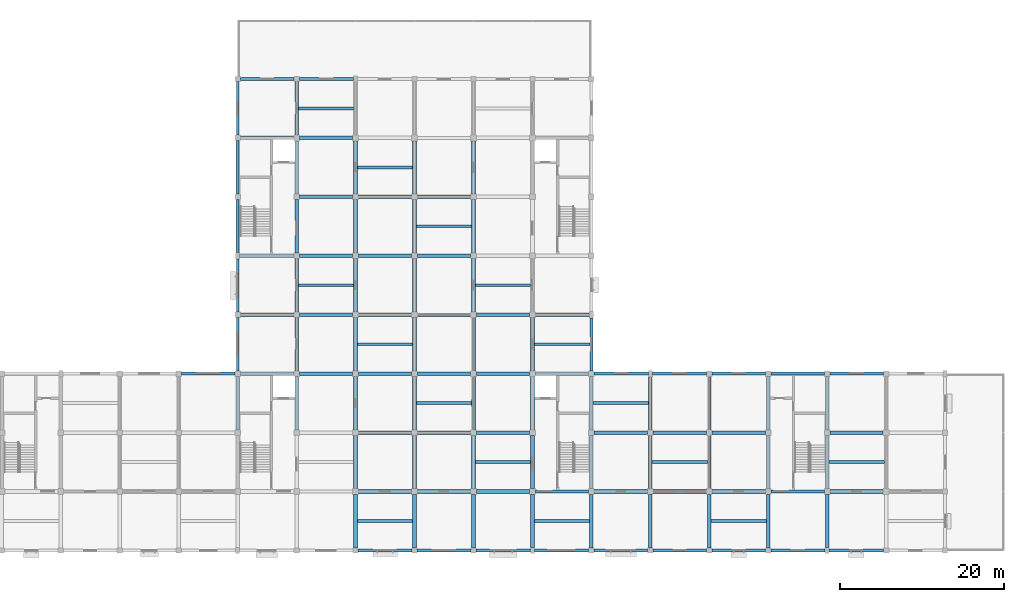
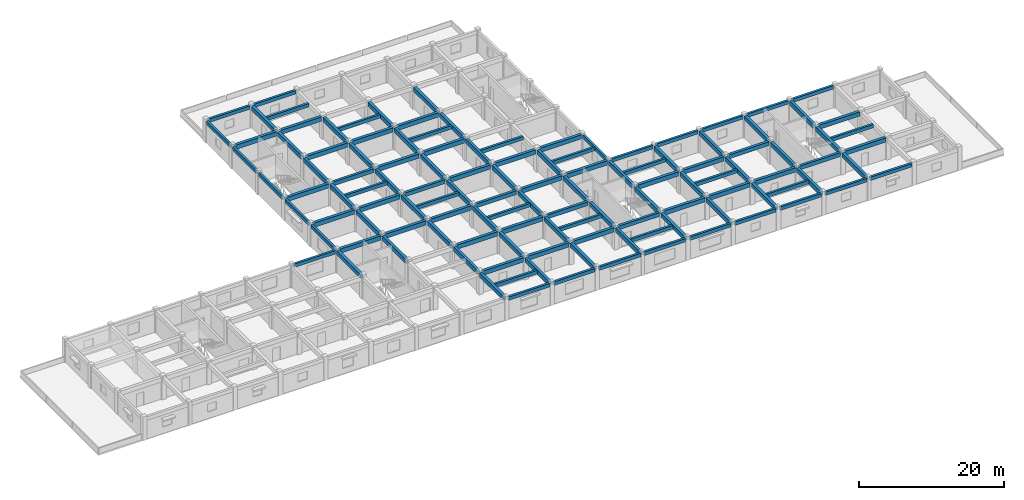
# One storey, part 2 of 16: 122 beams.
"""IFC4 building model written with IfcOpenShell, lengths in metres."""

import ifcopenshell
import ifcopenshell.guid

model = None  # the IFC model being written
_history = None  # IfcOwnerHistory: only IFC2X3 demands one
_inside = {}  # id of a spatial element -> (the spatial element, [elements in it])
_under = {}  # id of a project, library or spatial element -> (it, [spatial elements below it])
_declared = {}  # id of a project -> (the project, [libraries it declares])
_typed = {}  # id of a type object -> (the type object, [elements of that type])
_made_of = {}  # id of a material, layer set ... -> (it, [elements and type objects made of it])


def new_model(schema):
    """Start an empty IFC model of exactly this schema.

    Asked for "IFC4X3", IfcOpenShell would pick the latest addendum, in which some entities
    have other attributes; the version numbers below select the first issue.
    IFC2X3 requires an IfcOwnerHistory on every rooted entity: one is made here for all.
    """
    global model, _history
    if schema == "IFC4X3":
        model = ifcopenshell.file(schema_version=(4, 3, 0, 0))
    else:
        model = ifcopenshell.file(schema=schema)
    _inside.clear()
    _under.clear()
    _declared.clear()
    _typed.clear()
    _made_of.clear()
    _history = None
    if model.schema == "IFC2X3":
        org = make("IfcOrganization", Name="unknown")
        user = make(
            "IfcPersonAndOrganization",
            ThePerson=make("IfcPerson", FamilyName="unknown"),
            TheOrganization=org,
        )
        app = make(
            "IfcApplication",
            ApplicationDeveloper=org,
            Version="unknown",
            ApplicationFullName="unknown",
            ApplicationIdentifier="unknown",
        )
        _history = make(
            "IfcOwnerHistory",
            OwningUser=user,
            OwningApplication=app,
            ChangeAction="ADDED",
            CreationDate=0,
        )
    return model


def make(cls, **values):
    """One entity of the class cls with the attributes given. An attribute that is None is left unset."""
    return model.create_entity(
        cls, **{name: value for name, value in values.items() if value is not None}
    )


def rooted(cls, **values):
    """An entity with a GlobalId (a new one), such as an element, a storey or a relation."""
    return make(cls, GlobalId=ifcopenshell.guid.new(), OwnerHistory=_history, **values)


def si_unit(unit_type, name, prefix=None):
    """IfcSIUnit, for example si_unit("LENGTHUNIT", "METRE", prefix="MILLI")."""
    return make("IfcSIUnit", UnitType=unit_type, Prefix=prefix, Name=name)


def assignment(units):
    """IfcUnitAssignment: the units of a project."""
    return None if units is None else make("IfcUnitAssignment", Units=units)


def point(xyz):
    """IfcCartesianPoint."""
    return None if xyz is None else make("IfcCartesianPoint", Coordinates=xyz)


def direction(xyz):
    """IfcDirection."""
    return None if xyz is None else make("IfcDirection", DirectionRatios=xyz)


def frame(location, z_axis=None, x_axis=None):
    """IfcAxis2Placement3D, a coordinate frame: its origin and axes. An axis left out is left unset."""
    return make(
        "IfcAxis2Placement3D",
        Location=point(location),
        Axis=direction(z_axis),
        RefDirection=direction(x_axis),
    )


def frame_2d(location, x_axis=None):
    """IfcAxis2Placement2D, a coordinate frame in the plane: its origin and x axis."""
    return make(
        "IfcAxis2Placement2D", Location=point(location), RefDirection=direction(x_axis)
    )


def origin():
    """The frame at (0, 0, 0) with its axes left unset."""
    return frame((0.0, 0.0, 0.0))


def origin_2d():
    """The frame at (0, 0) in the plane with its x axis left unset."""
    return frame_2d((0.0, 0.0))


def place(relative_to, where):
    """IfcLocalPlacement: puts the frame where relative to a parent placement (None: the world)."""
    return make(
        "IfcLocalPlacement", PlacementRelTo=relative_to, RelativePlacement=where
    )


def context(
    kind, dimensions, precision=None, world=None, true_north=None, identifier=None
):
    """IfcGeometricRepresentationContext, for example the 3D "Model" context."""
    return make(
        "IfcGeometricRepresentationContext",
        ContextIdentifier=identifier,
        ContextType=kind,
        CoordinateSpaceDimension=dimensions,
        Precision=precision,
        WorldCoordinateSystem=world,
        TrueNorth=true_north,
    )


def subcontext(parent, identifier, kind, view, scale=None):
    """IfcGeometricRepresentationSubContext, for example "Body" below "Model"."""
    return make(
        "IfcGeometricRepresentationSubContext",
        ContextIdentifier=identifier,
        ContextType=kind,
        ParentContext=parent,
        TargetScale=scale,
        TargetView=view,
    )


def project(units=None, contexts=None):
    """IfcProject with its units and contexts."""
    return rooted(
        "IfcProject",
        Name="project",
        RepresentationContexts=contexts,
        UnitsInContext=assignment(units),
    )


def spatial(cls, under=None, at=None, **own):
    """A site, building, storey or space (cls), placed at a placement, below another one or the project."""
    s = rooted(cls, ObjectPlacement=at, **own)
    if under is not None:
        _under.setdefault(under.id(), (under, []))[1].append(s)
    return s


def profile(cls, at=None, kind="AREA", **sizes):
    """A parametric profile (cls). Its sizes go by their IFC names, for example OverallWidth=200.0."""
    return make(cls, ProfileType=kind, Position=at, **sizes)


def rectangle(**sizes):
    """IfcRectangleProfileDef."""
    return profile("IfcRectangleProfileDef", **sizes)


def extrude(swept, where, along, depth):
    """IfcExtrudedAreaSolid: the profile swept, set in the frame where, extruded along a direction by depth."""
    return make(
        "IfcExtrudedAreaSolid",
        SweptArea=swept,
        Position=where,
        ExtrudedDirection=direction(along),
        Depth=depth,
    )


def shape(context_of_items, identifier, shape_type, items):
    """IfcShapeRepresentation: the items that make up one representation, for example the "Body"."""
    return make(
        "IfcShapeRepresentation",
        ContextOfItems=context_of_items,
        RepresentationIdentifier=identifier,
        RepresentationType=shape_type,
        Items=items,
    )


def material(Name=None, Category=None):
    """IfcMaterial."""
    return make("IfcMaterial", Name=Name, Category=Category)


def material_profile(
    of_material, cross_section, Name=None, Category=None, Priority=None
):
    """IfcMaterialProfile: a cross section and its material."""
    return make(
        "IfcMaterialProfile",
        Name=Name,
        Material=of_material,
        Profile=cross_section,
        Priority=Priority,
        Category=Category,
    )


def profile_set(profiles, Name=None, composite=None):
    """IfcMaterialProfileSet."""
    return make(
        "IfcMaterialProfileSet",
        Name=Name,
        MaterialProfiles=profiles,
        CompositeProfile=composite,
    )


def made_of(thing, what):
    """Note that an element or type object is made of a material, layer set ...; save() writes the relation."""
    if what is not None:
        _made_of.setdefault(what.id(), (what, []))[1].append(thing)
    return thing


def type_object(cls, material=None, **own):
    """A type object (cls), such as IfcWallType, which elements share."""
    return made_of(rooted(cls, **own), material)


def element(
    cls,
    number,
    at=None,
    inside=None,
    cuts=None,
    type_object=None,
    material=None,
    context=None,
    identifier="Body",
    shape_type=None,
    held_by="IfcProductDefinitionShape",
    body=None,
    shapes=None,
    **own,
):
    """One element of the class cls, such as IfcWall. Its Tag is "e" and its number.

    at: its placement. inside: the storey or other place that contains it. cuts: it is an
    opening in that element (IfcRelVoidsElement). A single representation is given by context,
    identifier, shape_type and body (its items); several are given by shapes. held_by: the class
    of the entity that holds the representations. save() writes the other relations.
    """
    e = rooted(cls, Tag="e%d" % number, ObjectPlacement=at, **own)
    if body is not None:
        shapes = [shape(context, identifier, shape_type, body)]
    if shapes is not None:
        e.Representation = make(held_by, Representations=shapes)
    if inside is not None:
        _inside.setdefault(inside.id(), (inside, []))[1].append(e)
    if cuts is not None:
        rooted(
            "IfcRelVoidsElement", RelatingBuildingElement=cuts, RelatedOpeningElement=e
        )
    if type_object is not None:
        _typed.setdefault(type_object.id(), (type_object, []))[1].append(e)
    return made_of(e, material)


def aggregate(whole, parts):
    """IfcRelAggregates: a whole, such as a stair, and the parts it consists of."""
    return rooted("IfcRelAggregates", RelatingObject=whole, RelatedObjects=parts)


def save(model, path):
    """Write the relations noted so far, then the file.

    IfcRelAggregates (storeys below a building ...), IfcRelContainedInSpatialStructure (elements
    in a storey), IfcRelDefinesByType, IfcRelAssociatesMaterial and IfcRelDeclares: one each for
    every whole, place, type object, material and project.
    """
    for whole, parts in _under.values():
        aggregate(whole, parts)
    for where, things in _inside.values():
        rooted(
            "IfcRelContainedInSpatialStructure",
            RelatedElements=things,
            RelatingStructure=where,
        )
    for kind, things in _typed.values():
        rooted("IfcRelDefinesByType", RelatedObjects=things, RelatingType=kind)
    for what, things in _made_of.values():
        rooted("IfcRelAssociatesMaterial", RelatedObjects=things, RelatingMaterial=what)
    for by, libraries in _declared.values():
        rooted("IfcRelDeclares", RelatingContext=by, RelatedDefinitions=libraries)
    model.write(path)


model = new_model("IFC4")

# Units and contexts
model_context = context("Model", 3, precision=1e-05, world=origin(), true_north=direction((0.0, 1.0)))
body_context = subcontext(model_context, "Body", "Model", "MODEL_VIEW")
ifc_project = project(units=[si_unit("LENGTHUNIT", "METRE"), si_unit("AREAUNIT", "SQUARE_METRE"), si_unit("VOLUMEUNIT", "CUBIC_METRE"), si_unit("PLANEANGLEUNIT", "RADIAN"), si_unit("MASSUNIT", "GRAM", prefix="KILO")], contexts=[model_context])

# Site, building, storey
site_placement = place(None, origin())
site = spatial("IfcSite", under=ifc_project, at=site_placement, CompositionType="ELEMENT")
building_placement = place(site_placement, origin())
building = spatial("IfcBuilding", under=site, at=building_placement, Name="Cendaluz Park School", CompositionType="ELEMENT")
storey_placement = place(building_placement, frame((0.0, 0.0, 22.60009765625)))
storey = spatial("IfcBuildingStorey", under=building, at=storey_placement, Name="L05", CompositionType="ELEMENT", Elevation=22.60009765625)

# Beams
ifc_material = material(Name="Concrete C40/50", Category="concrete")
ifc_material_profile_1 = material_profile(ifc_material, rectangle(XDim=0.449951171875, YDim=0.719970703125, at=origin_2d()), Name="RC 450x720", Category="concrete")
ifc_profile_set_1 = profile_set([ifc_material_profile_1], Name="Concrete C40/50")
beam_type_1 = type_object("IfcBeamType", Name="BM-RC02", PredefinedType="BEAM", material=ifc_profile_set_1)
for number, where, z_axis, x_axis, name in (
    (1, (65.125, 28.800048828125, 3.33984375), (1.0, 0.0, 0.0), (0.0, 1.0, 0.0), "BM-L05-BMRC02-0026"),
    (2, (65.125, 36.0, 3.33984375), (1.0, 0.0, 0.0), (0.0, 1.0, 0.0), "BM-L05-BMRC02-0027"),
):
    element("IfcBeam", number, at=place(storey_placement, frame(where, z_axis=z_axis, x_axis=x_axis)), inside=storey, type_object=beam_type_1, Name=name, PredefinedType="BEAM", context=body_context, shape_type="SweptSolid", body=[
        extrude(rectangle(XDim=0.449951171875, YDim=0.719970703125, at=origin_2d()), origin(), (0.0, 0.0, 1.0), 6.52490234375),
    ])
beam_1_placement = place(storey_placement, frame((65.050048828125, 43.199951171875, 3.33984375), z_axis=(1.0, 0.0, 0.0), x_axis=(0.0, 1.0, 0.0)))
element("IfcBeam", 3, at=beam_1_placement, inside=storey, type_object=beam_type_1, Name="BM-L05-BMRC02-0028", PredefinedType="BEAM", context=body_context, shape_type="SweptSolid", body=[
    extrude(rectangle(XDim=0.449951171875, YDim=0.719970703125, at=origin_2d()), origin(), (0.0, 0.0, 1.0), 6.599853515625),
])
beam_2_placement = place(storey_placement, frame((65.125, 57.60009765625, 3.33984375), z_axis=(1.0, 0.0, 0.0), x_axis=(0.0, 1.0, 0.0)))
element("IfcBeam", 4, at=beam_2_placement, inside=storey, type_object=beam_type_1, Name="BM-L05-BMRC02-0029", PredefinedType="BEAM", context=body_context, shape_type="SweptSolid", body=[
    extrude(rectangle(XDim=0.449951171875, YDim=0.719970703125, at=origin_2d()), origin(), (0.0, 0.0, 1.0), 6.52490234375),
])
for number, where, z_axis, x_axis, name in (
    (5, (72.35009765625, 28.800048828125, 3.33984375), (1.0, 0.0, 0.0), (0.0, 1.0, 0.0), "BM-L05-BMRC02-0034"),
    (6, (72.35009765625, 36.0, 3.33984375), (1.0, 0.0, 0.0), (0.0, 1.0, 0.0), "BM-L05-BMRC02-0035"),
    (7, (72.35009765625, 50.39990234375, 3.33984375), (1.0, 0.0, 0.0), (0.0, 1.0, 0.0), "BM-L05-BMRC02-0037"),
    (8, (72.35009765625, 57.60009765625, 3.33984375), (1.0, 0.0, 0.0), (0.0, 1.0, 0.0), "BM-L05-BMRC02-0038"),
    (9, (79.550048828125, 14.39990234375, 3.33984375), (1.0, 0.0, 0.0), (0.0, 1.0, 0.0), "BM-L05-BMRC02-0041"),
    (10, (79.550048828125, 21.60009765625, 3.33984375), (1.0, 0.0, 0.0), (0.0, 1.0, 0.0), "BM-L05-BMRC02-0042"),
    (11, (79.550048828125, 28.800048828125, 3.33984375), (1.0, 0.0, 0.0), (0.0, 1.0, 0.0), "BM-L05-BMRC02-0043"),
    (12, (79.550048828125, 43.199951171875, 3.33984375), (1.0, 0.0, 0.0), (0.0, 1.0, 0.0), "BM-L05-BMRC02-0045"),
    (13, (79.550048828125, 50.39990234375, 3.33984375), (1.0, 0.0, 0.0), (0.0, 1.0, 0.0), "BM-L05-BMRC02-0046"),
    (14, (86.75, 14.39990234375, 3.33984375), (1.0, 0.0, 0.0), (0.0, 1.0, 0.0), "BM-L05-BMRC02-0050"),
    (15, (86.75, 21.60009765625, 3.33984375), (1.0, 0.0, 0.0), (0.0, 1.0, 0.0), "BM-L05-BMRC02-0051"),
    (16, (86.75, 36.0, 3.33984375), (1.0, 0.0, 0.0), (0.0, 1.0, 0.0), "BM-L05-BMRC02-0053"),
    (17, (86.75, 43.199951171875, 3.33984375), (1.0, 0.0, 0.0), (0.0, 1.0, 0.0), "BM-L05-BMRC02-0054"),
    (18, (86.75, 50.39990234375, 3.33984375), (1.0, 0.0, 0.0), (0.0, 1.0, 0.0), "BM-L05-BMRC02-0055"),
    (19, (93.949951171875, 14.39990234375, 3.33984375), (1.0, 0.0, 0.0), (0.0, 1.0, 0.0), "BM-L05-BMRC02-0059"),
    (20, (93.949951171875, 28.800048828125, 3.33984375), (1.0, 0.0, 0.0), (0.0, 1.0, 0.0), "BM-L05-BMRC02-0061"),
    (21, (93.949951171875, 36.0, 3.33984375), (1.0, 0.0, 0.0), (0.0, 1.0, 0.0), "BM-L05-BMRC02-0062"),
):
    element("IfcBeam", number, at=place(storey_placement, frame(where, z_axis=z_axis, x_axis=x_axis)), inside=storey, type_object=beam_type_1, Name=name, PredefinedType="BEAM", context=body_context, shape_type="SweptSolid", body=[
        extrude(rectangle(XDim=0.449951171875, YDim=0.719970703125, at=origin_2d()), origin(), (0.0, 0.0, 1.0), 6.5),
    ])
beam_3_placement = place(storey_placement, frame((101.14990234375, 28.800048828125, 3.33984375), z_axis=(1.0, 0.0, 0.0), x_axis=(0.0, 1.0, 0.0)))
element("IfcBeam", 22, at=beam_3_placement, inside=storey, type_object=beam_type_1, Name="BM-L05-BMRC02-0069", PredefinedType="BEAM", context=body_context, shape_type="SweptSolid", body=[
    extrude(rectangle(XDim=0.449951171875, YDim=0.719970703125, at=origin_2d()), origin(), (0.0, 0.0, 1.0), 6.525146484375),
])
beam_4_placement = place(storey_placement, frame((101.14990234375, 36.0, 3.33984375), z_axis=(1.0, 0.0, 0.0), x_axis=(0.0, 1.0, 0.0)))
element("IfcBeam", 23, at=beam_4_placement, inside=storey, type_object=beam_type_1, Name="BM-L05-BMRC02-0070", PredefinedType="BEAM", context=body_context, shape_type="SweptSolid", body=[
    extrude(rectangle(XDim=0.449951171875, YDim=0.719970703125, at=origin_2d()), origin(), (0.0, 0.0, 1.0), 6.60009765625),
])
for number, where, z_axis, x_axis, name in (
    (24, (108.35009765625, 14.39990234375, 3.33984375), (1.0, 0.0, 0.0), (0.0, 1.0, 0.0), "BM-L05-BMRC02-0075"),
    (25, (108.35009765625, 21.60009765625, 3.33984375), (1.0, 0.0, 0.0), (0.0, 1.0, 0.0), "BM-L05-BMRC02-0076"),
    (26, (115.550048828125, 14.39990234375, 3.33984375), (1.0, 0.0, 0.0), (0.0, 1.0, 0.0), "BM-L05-BMRC02-0079"),
    (27, (115.550048828125, 21.60009765625, 3.33984375), (1.0, 0.0, 0.0), (0.0, 1.0, 0.0), "BM-L05-BMRC02-0080"),
    (28, (122.75, 14.39990234375, 3.33984375), (1.0, 0.0, 0.0), (0.0, 1.0, 0.0), "BM-L05-BMRC02-0083"),
    (29, (137.14990234375, 14.39990234375, 3.33984375), (1.0, 0.0, 0.0), (0.0, 1.0, 0.0), "BM-L05-BMRC02-0090"),
    (30, (137.14990234375, 21.60009765625, 3.33984375), (1.0, 0.0, 0.0), (0.0, 1.0, 0.0), "BM-L05-BMRC02-0091"),
):
    element("IfcBeam", number, at=place(storey_placement, frame(where, z_axis=z_axis, x_axis=x_axis)), inside=storey, type_object=beam_type_1, Name=name, PredefinedType="BEAM", context=body_context, shape_type="SweptSolid", body=[
        extrude(rectangle(XDim=0.449951171875, YDim=0.719970703125, at=origin_2d()), origin(), (0.0, 0.0, 1.0), 6.5),
    ])
beam_5_placement = place(storey_placement, frame((64.800048828125, 21.949951171875, 3.33984375), z_axis=(0.0, 1.0, 0.0), x_axis=(-1.0, 0.0, 0.0)))
element("IfcBeam", 31, at=beam_5_placement, inside=storey, type_object=beam_type_1, Name="BM-L05-BMRC02-0117", PredefinedType="BEAM", context=body_context, shape_type="SweptSolid", body=[
    extrude(rectangle(XDim=0.449951171875, YDim=0.719970703125, at=origin_2d()), origin(), (0.0, 0.0, 1.0), 6.525146484375),
])
for number, where, z_axis, x_axis, name in (
    (32, (72.0, 21.949951171875, 3.33984375), (0.0, 1.0, 0.0), (-1.0, 0.0, 0.0), "BM-L05-BMRC02-0125"),
    (33, (72.0, 29.14990234375, 3.33984375), (0.0, 1.0, 0.0), (-1.0, 0.0, 0.0), "BM-L05-BMRC02-0126"),
    (34, (72.0, 36.35009765625, 3.33984375), (0.0, 1.0, 0.0), (-1.0, 0.0, 0.0), "BM-L05-BMRC02-0127"),
    (35, (72.0, 43.550048828125, 3.33984375), (0.0, 1.0, 0.0), (-1.0, 0.0, 0.0), "BM-L05-BMRC02-0128"),
    (36, (72.0, 50.75, 3.33984375), (0.0, 1.0, 0.0), (-1.0, 0.0, 0.0), "BM-L05-BMRC02-0129"),
):
    element("IfcBeam", number, at=place(storey_placement, frame(where, z_axis=z_axis, x_axis=x_axis)), inside=storey, type_object=beam_type_1, Name=name, PredefinedType="BEAM", context=body_context, shape_type="SweptSolid", body=[
        extrude(rectangle(XDim=0.449951171875, YDim=0.719970703125, at=origin_2d()), origin(), (0.0, 0.0, 1.0), 6.5),
    ])
for number, where, z_axis, x_axis, name in (
    (37, (72.0, 57.949951171875, 3.33984375), (0.0, 1.0, 0.0), (-1.0, 0.0, 0.0), "BM-L05-BMRC02-0130"),
    (38, (79.199951171875, 7.52490234375, 3.33984375), (0.0, 1.0, 0.0), (-1.0, 0.0, 0.0), "BM-L05-BMRC02-0131"),
):
    element("IfcBeam", number, at=place(storey_placement, frame(where, z_axis=z_axis, x_axis=x_axis)), inside=storey, type_object=beam_type_1, Name=name, PredefinedType="BEAM", context=body_context, shape_type="SweptSolid", body=[
        extrude(rectangle(XDim=0.449951171875, YDim=0.719970703125, at=origin_2d()), origin(), (0.0, 0.0, 1.0), 6.525146484375),
    ])
for number, where, z_axis, x_axis, name in (
    (39, (79.199951171875, 14.75, 3.33984375), (0.0, 1.0, 0.0), (-1.0, 0.0, 0.0), "BM-L05-BMRC02-0132"),
    (40, (79.199951171875, 21.949951171875, 3.33984375), (0.0, 1.0, 0.0), (-1.0, 0.0, 0.0), "BM-L05-BMRC02-0133"),
    (41, (79.199951171875, 29.14990234375, 3.33984375), (0.0, 1.0, 0.0), (-1.0, 0.0, 0.0), "BM-L05-BMRC02-0134"),
    (42, (79.199951171875, 36.35009765625, 3.33984375), (0.0, 1.0, 0.0), (-1.0, 0.0, 0.0), "BM-L05-BMRC02-0135"),
    (43, (79.199951171875, 43.550048828125, 3.33984375), (0.0, 1.0, 0.0), (-1.0, 0.0, 0.0), "BM-L05-BMRC02-0136"),
    (44, (79.199951171875, 50.75, 3.33984375), (0.0, 1.0, 0.0), (-1.0, 0.0, 0.0), "BM-L05-BMRC02-0137"),
):
    element("IfcBeam", number, at=place(storey_placement, frame(where, z_axis=z_axis, x_axis=x_axis)), inside=storey, type_object=beam_type_1, Name=name, PredefinedType="BEAM", context=body_context, shape_type="SweptSolid", body=[
        extrude(rectangle(XDim=0.449951171875, YDim=0.719970703125, at=origin_2d()), origin(), (0.0, 0.0, 1.0), 6.5),
    ])
beam_6_placement = place(storey_placement, frame((86.39990234375, 7.52490234375, 3.33984375), z_axis=(0.0, 1.0, 0.0), x_axis=(-1.0, 0.0, 0.0)))
element("IfcBeam", 45, at=beam_6_placement, inside=storey, type_object=beam_type_1, Name="BM-L05-BMRC02-0139", PredefinedType="BEAM", context=body_context, shape_type="SweptSolid", body=[
    extrude(rectangle(XDim=0.449951171875, YDim=0.719970703125, at=origin_2d()), origin(), (0.0, 0.0, 1.0), 6.525146484375),
])
for number, where, z_axis, x_axis, name in (
    (46, (86.39990234375, 14.75, 3.33984375), (0.0, 1.0, 0.0), (-1.0, 0.0, 0.0), "BM-L05-BMRC02-0140"),
    (47, (86.39990234375, 21.949951171875, 3.33984375), (0.0, 1.0, 0.0), (-1.0, 0.0, 0.0), "BM-L05-BMRC02-0141"),
    (48, (86.39990234375, 29.14990234375, 3.33984375), (0.0, 1.0, 0.0), (-1.0, 0.0, 0.0), "BM-L05-BMRC02-0142"),
    (49, (86.39990234375, 36.35009765625, 3.33984375), (0.0, 1.0, 0.0), (-1.0, 0.0, 0.0), "BM-L05-BMRC02-0143"),
    (50, (86.39990234375, 43.550048828125, 3.33984375), (0.0, 1.0, 0.0), (-1.0, 0.0, 0.0), "BM-L05-BMRC02-0144"),
    (51, (86.39990234375, 50.75, 3.33984375), (0.0, 1.0, 0.0), (-1.0, 0.0, 0.0), "BM-L05-BMRC02-0145"),
):
    element("IfcBeam", number, at=place(storey_placement, frame(where, z_axis=z_axis, x_axis=x_axis)), inside=storey, type_object=beam_type_1, Name=name, PredefinedType="BEAM", context=body_context, shape_type="SweptSolid", body=[
        extrude(rectangle(XDim=0.449951171875, YDim=0.719970703125, at=origin_2d()), origin(), (0.0, 0.0, 1.0), 6.5),
    ])
beam_7_placement = place(storey_placement, frame((93.60009765625, 7.52490234375, 3.33984375), z_axis=(0.0, 1.0, 0.0), x_axis=(-1.0, 0.0, 0.0)))
element("IfcBeam", 52, at=beam_7_placement, inside=storey, type_object=beam_type_1, Name="BM-L05-BMRC02-0147", PredefinedType="BEAM", context=body_context, shape_type="SweptSolid", body=[
    extrude(rectangle(XDim=0.449951171875, YDim=0.719970703125, at=origin_2d()), origin(), (0.0, 0.0, 1.0), 6.525146484375),
])
for number, where, z_axis, x_axis, name in (
    (53, (93.60009765625, 14.75, 3.33984375), (0.0, 1.0, 0.0), (-1.0, 0.0, 0.0), "BM-L05-BMRC02-0148"),
    (54, (93.60009765625, 21.949951171875, 3.33984375), (0.0, 1.0, 0.0), (-1.0, 0.0, 0.0), "BM-L05-BMRC02-0149"),
    (55, (93.60009765625, 29.14990234375, 3.33984375), (0.0, 1.0, 0.0), (-1.0, 0.0, 0.0), "BM-L05-BMRC02-0150"),
    (56, (93.60009765625, 36.35009765625, 3.33984375), (0.0, 1.0, 0.0), (-1.0, 0.0, 0.0), "BM-L05-BMRC02-0151"),
    (57, (93.60009765625, 43.550048828125, 3.33984375), (0.0, 1.0, 0.0), (-1.0, 0.0, 0.0), "BM-L05-BMRC02-0152"),
    (58, (93.60009765625, 50.75, 3.33984375), (0.0, 1.0, 0.0), (-1.0, 0.0, 0.0), "BM-L05-BMRC02-0153"),
):
    element("IfcBeam", number, at=place(storey_placement, frame(where, z_axis=z_axis, x_axis=x_axis)), inside=storey, type_object=beam_type_1, Name=name, PredefinedType="BEAM", context=body_context, shape_type="SweptSolid", body=[
        extrude(rectangle(XDim=0.449951171875, YDim=0.719970703125, at=origin_2d()), origin(), (0.0, 0.0, 1.0), 6.5),
    ])
beam_8_placement = place(storey_placement, frame((100.800048828125, 7.574951171875, 3.33984375), z_axis=(0.0, 1.0, 0.0), x_axis=(-1.0, 0.0, 0.0)))
element("IfcBeam", 59, at=beam_8_placement, inside=storey, type_object=beam_type_1, Name="BM-L05-BMRC02-0155", PredefinedType="BEAM", context=body_context, shape_type="SweptSolid", body=[
    extrude(rectangle(XDim=0.449951171875, YDim=0.719970703125, at=origin_2d()), origin(), (0.0, 0.0, 1.0), 6.47509765625),
])
for number, where, z_axis, x_axis, name in (
    (60, (100.800048828125, 14.75, 3.33984375), (0.0, 1.0, 0.0), (-1.0, 0.0, 0.0), "BM-L05-BMRC02-0156"),
    (61, (100.800048828125, 21.949951171875, 3.33984375), (0.0, 1.0, 0.0), (-1.0, 0.0, 0.0), "BM-L05-BMRC02-0157"),
    (62, (100.800048828125, 29.14990234375, 3.33984375), (0.0, 1.0, 0.0), (-1.0, 0.0, 0.0), "BM-L05-BMRC02-0158"),
):
    element("IfcBeam", number, at=place(storey_placement, frame(where, z_axis=z_axis, x_axis=x_axis)), inside=storey, type_object=beam_type_1, Name=name, PredefinedType="BEAM", context=body_context, shape_type="SweptSolid", body=[
        extrude(rectangle(XDim=0.449951171875, YDim=0.719970703125, at=origin_2d()), origin(), (0.0, 0.0, 1.0), 6.5),
    ])
beam_9_placement = place(storey_placement, frame((108.0, 7.52490234375, 3.33984375), z_axis=(0.0, 1.0, 0.0), x_axis=(-1.0, 0.0, 0.0)))
element("IfcBeam", 63, at=beam_9_placement, inside=storey, type_object=beam_type_1, Name="BM-L05-BMRC02-0163", PredefinedType="BEAM", context=body_context, shape_type="SweptSolid", body=[
    extrude(rectangle(XDim=0.449951171875, YDim=0.719970703125, at=origin_2d()), origin(), (0.0, 0.0, 1.0), 6.525146484375),
])
beam_10_placement = place(storey_placement, frame((108.0, 14.75, 3.33984375), z_axis=(0.0, 1.0, 0.0), x_axis=(-1.0, 0.0, 0.0)))
element("IfcBeam", 64, at=beam_10_placement, inside=storey, type_object=beam_type_1, Name="BM-L05-BMRC02-0164", PredefinedType="BEAM", context=body_context, shape_type="SweptSolid", body=[
    extrude(rectangle(XDim=0.449951171875, YDim=0.719970703125, at=origin_2d()), origin(), (0.0, 0.0, 1.0), 6.5),
])
for number, where, z_axis, x_axis, name in (
    (65, (108.0, 21.949951171875, 3.33984375), (0.0, 1.0, 0.0), (-1.0, 0.0, 0.0), "BM-L05-BMRC02-0165"),
    (66, (115.199951171875, 7.52490234375, 3.33984375), (0.0, 1.0, 0.0), (-1.0, 0.0, 0.0), "BM-L05-BMRC02-0171"),
):
    element("IfcBeam", number, at=place(storey_placement, frame(where, z_axis=z_axis, x_axis=x_axis)), inside=storey, type_object=beam_type_1, Name=name, PredefinedType="BEAM", context=body_context, shape_type="SweptSolid", body=[
        extrude(rectangle(XDim=0.449951171875, YDim=0.719970703125, at=origin_2d()), origin(), (0.0, 0.0, 1.0), 6.525146484375),
    ])
beam_11_placement = place(storey_placement, frame((115.199951171875, 14.75, 3.33984375), z_axis=(0.0, 1.0, 0.0), x_axis=(-1.0, 0.0, 0.0)))
element("IfcBeam", 67, at=beam_11_placement, inside=storey, type_object=beam_type_1, Name="BM-L05-BMRC02-0172", PredefinedType="BEAM", context=body_context, shape_type="SweptSolid", body=[
    extrude(rectangle(XDim=0.449951171875, YDim=0.719970703125, at=origin_2d()), origin(), (0.0, 0.0, 1.0), 6.5),
])
beam_12_placement = place(storey_placement, frame((115.199951171875, 21.949951171875, 3.33984375), z_axis=(0.0, 1.0, 0.0), x_axis=(-1.0, 0.0, 0.0)))
element("IfcBeam", 68, at=beam_12_placement, inside=storey, type_object=beam_type_1, Name="BM-L05-BMRC02-0173", PredefinedType="BEAM", context=body_context, shape_type="SweptSolid", body=[
    extrude(rectangle(XDim=0.449951171875, YDim=0.719970703125, at=origin_2d()), origin(), (0.0, 0.0, 1.0), 6.47509765625),
])
beam_13_placement = place(storey_placement, frame((122.39990234375, 7.52490234375, 3.33984375), z_axis=(0.0, 1.0, 0.0), x_axis=(-1.0, 0.0, 0.0)))
element("IfcBeam", 69, at=beam_13_placement, inside=storey, type_object=beam_type_1, Name="BM-L05-BMRC02-0174", PredefinedType="BEAM", context=body_context, shape_type="SweptSolid", body=[
    extrude(rectangle(XDim=0.449951171875, YDim=0.719970703125, at=origin_2d()), origin(), (0.0, 0.0, 1.0), 6.525146484375),
])
beam_14_placement = place(storey_placement, frame((122.39990234375, 14.75, 3.33984375), z_axis=(0.0, 1.0, 0.0), x_axis=(-1.0, 0.0, 0.0)))
element("IfcBeam", 70, at=beam_14_placement, inside=storey, type_object=beam_type_1, Name="BM-L05-BMRC02-0175", PredefinedType="BEAM", context=body_context, shape_type="SweptSolid", body=[
    extrude(rectangle(XDim=0.449951171875, YDim=0.719970703125, at=origin_2d()), origin(), (0.0, 0.0, 1.0), 6.5),
])
for number, where, z_axis, x_axis, name in (
    (71, (122.39990234375, 21.949951171875, 3.33984375), (0.0, 1.0, 0.0), (-1.0, 0.0, 0.0), "BM-L05-BMRC02-0176"),
    (72, (129.60009765625, 7.52490234375, 3.33984375), (0.0, 1.0, 0.0), (-1.0, 0.0, 0.0), "BM-L05-BMRC02-0177"),
):
    element("IfcBeam", number, at=place(storey_placement, frame(where, z_axis=z_axis, x_axis=x_axis)), inside=storey, type_object=beam_type_1, Name=name, PredefinedType="BEAM", context=body_context, shape_type="SweptSolid", body=[
        extrude(rectangle(XDim=0.449951171875, YDim=0.719970703125, at=origin_2d()), origin(), (0.0, 0.0, 1.0), 6.525146484375),
    ])
beam_15_placement = place(storey_placement, frame((129.60009765625, 14.75, 3.33984375), z_axis=(0.0, 1.0, 0.0), x_axis=(-1.0, 0.0, 0.0)))
element("IfcBeam", 73, at=beam_15_placement, inside=storey, type_object=beam_type_1, Name="BM-L05-BMRC02-0178", PredefinedType="BEAM", context=body_context, shape_type="SweptSolid", body=[
    extrude(rectangle(XDim=0.449951171875, YDim=0.719970703125, at=origin_2d()), origin(), (0.0, 0.0, 1.0), 6.5),
])
beam_16_placement = place(storey_placement, frame((129.60009765625, 21.949951171875, 3.33984375), z_axis=(0.0, 1.0, 0.0), x_axis=(-1.0, 0.0, 0.0)))
element("IfcBeam", 74, at=beam_16_placement, inside=storey, type_object=beam_type_1, Name="BM-L05-BMRC02-0179", PredefinedType="BEAM", context=body_context, shape_type="SweptSolid", body=[
    extrude(rectangle(XDim=0.449951171875, YDim=0.719970703125, at=origin_2d()), origin(), (0.0, 0.0, 1.0), 6.525146484375),
])
beam_17_placement = place(storey_placement, frame((136.800048828125, 7.574951171875, 3.33984375), z_axis=(0.0, 1.0, 0.0), x_axis=(-1.0, 0.0, 0.0)))
element("IfcBeam", 75, at=beam_17_placement, inside=storey, type_object=beam_type_1, Name="BM-L05-BMRC02-0180", PredefinedType="BEAM", context=body_context, shape_type="SweptSolid", body=[
    extrude(rectangle(XDim=0.449951171875, YDim=0.719970703125, at=origin_2d()), origin(), (0.0, 0.0, 1.0), 6.47509765625),
])
beam_18_placement = place(storey_placement, frame((136.800048828125, 14.75, 3.33984375), z_axis=(0.0, 1.0, 0.0), x_axis=(-1.0, 0.0, 0.0)))
element("IfcBeam", 76, at=beam_18_placement, inside=storey, type_object=beam_type_1, Name="BM-L05-BMRC02-0181", PredefinedType="BEAM", context=body_context, shape_type="SweptSolid", body=[
    extrude(rectangle(XDim=0.449951171875, YDim=0.719970703125, at=origin_2d()), origin(), (0.0, 0.0, 1.0), 6.5),
])
beam_19_placement = place(storey_placement, frame((136.800048828125, 21.949951171875, 3.33984375), z_axis=(0.0, 1.0, 0.0), x_axis=(-1.0, 0.0, 0.0)))
element("IfcBeam", 77, at=beam_19_placement, inside=storey, type_object=beam_type_1, Name="BM-L05-BMRC02-0182", PredefinedType="BEAM", context=body_context, shape_type="SweptSolid", body=[
    extrude(rectangle(XDim=0.449951171875, YDim=0.719970703125, at=origin_2d()), origin(), (0.0, 0.0, 1.0), 6.525146484375),
])
ifc_material_profile_2 = material_profile(ifc_material, rectangle(XDim=0.39990234375, YDim=0.64990234375, at=origin_2d()), Name="RC 400x650", Category="concrete")
ifc_profile_set_2 = profile_set([ifc_material_profile_2], Name="Concrete C40/50")
beam_type_2 = type_object("IfcBeamType", Name="BM-RC03", PredefinedType="T_BEAM", material=ifc_profile_set_2)
for number, where, z_axis, x_axis, name in (
    (78, (72.35009765625, 43.199951171875, 3.375), (1.0, 0.0, 0.0), (0.0, 1.0, 0.0), "BM-L05-BMRC03-0036"),
    (79, (79.550048828125, 36.0, 3.375), (1.0, 0.0, 0.0), (0.0, 1.0, 0.0), "BM-L05-BMRC03-0044"),
    (80, (86.75, 28.800048828125, 3.375), (1.0, 0.0, 0.0), (0.0, 1.0, 0.0), "BM-L05-BMRC03-0052"),
    (81, (93.949951171875, 21.60009765625, 3.375), (1.0, 0.0, 0.0), (0.0, 1.0, 0.0), "BM-L05-BMRC03-0060"),
    (82, (101.14990234375, 14.39990234375, 3.375), (1.0, 0.0, 0.0), (0.0, 1.0, 0.0), "BM-L05-BMRC03-0068"),
    (83, (122.75, 21.60009765625, 3.375), (1.0, 0.0, 0.0), (0.0, 1.0, 0.0), "BM-L05-BMRC03-0084"),
    (84, (129.949951171875, 14.39990234375, 3.375), (1.0, 0.0, 0.0), (0.0, 1.0, 0.0), "BM-L05-BMRC03-0087"),
):
    element("IfcBeam", number, at=place(storey_placement, frame(where, z_axis=z_axis, x_axis=x_axis)), inside=storey, type_object=beam_type_2, Name=name, PredefinedType="T_BEAM", context=body_context, shape_type="SweptSolid", body=[
        extrude(rectangle(XDim=0.39990234375, YDim=0.64990234375, at=origin_2d()), origin(), (0.0, 0.0, 1.0), 6.5),
    ])
ifc_material_profile_3 = material_profile(ifc_material, rectangle(XDim=0.35009765625, YDim=0.580078125, at=origin_2d()), Name="RC 350x580", Category="concrete")
ifc_profile_set_3 = profile_set([ifc_material_profile_3], Name="Concrete C40/50")
beam_type_3 = type_object("IfcBeamType", Name="BM-RC04", PredefinedType="LINTEL", material=ifc_profile_set_3)
for number, where, z_axis, x_axis, name in (
    (85, (57.925048828125, 28.800048828125, 3.409912109375), (1.0, 0.0, 0.0), (0.0, 1.0, 0.0), "BM-L05-BMRC04-0023"),
    (86, (65.125, 64.800048828125, 3.409912109375), (1.0, 0.0, 0.0), (0.0, 1.0, 0.0), "BM-L05-BMRC04-0030"),
):
    element("IfcBeam", number, at=place(storey_placement, frame(where, z_axis=z_axis, x_axis=x_axis)), inside=storey, type_object=beam_type_3, Name=name, PredefinedType="LINTEL", context=body_context, shape_type="SweptSolid", body=[
        extrude(rectangle(XDim=0.35009765625, YDim=0.580078125, at=origin_2d()), origin(), (0.0, 0.0, 1.0), 6.550048828125),
    ])
beam_20_placement = place(storey_placement, frame((72.324951171875, 64.800048828125, 3.409912109375), z_axis=(1.0, 0.0, 0.0), x_axis=(0.0, 1.0, 0.0)))
element("IfcBeam", 87, at=beam_20_placement, inside=storey, type_object=beam_type_3, Name="BM-L05-BMRC04-0039", PredefinedType="LINTEL", context=body_context, shape_type="SweptSolid", body=[
    extrude(rectangle(XDim=0.35009765625, YDim=0.580078125, at=origin_2d()), origin(), (0.0, 0.0, 1.0), 6.625),
])
beam_21_placement = place(storey_placement, frame((79.52490234375, 7.199951171875, 3.409912109375), z_axis=(1.0, 0.0, 0.0), x_axis=(0.0, 1.0, 0.0)))
element("IfcBeam", 88, at=beam_21_placement, inside=storey, type_object=beam_type_3, Name="BM-L05-BMRC04-0040", PredefinedType="LINTEL", context=body_context, shape_type="SweptSolid", body=[
    extrude(rectangle(XDim=0.35009765625, YDim=0.580078125, at=origin_2d()), origin(), (0.0, 0.0, 1.0), 6.550048828125),
])
beam_22_placement = place(storey_placement, frame((86.72509765625, 7.199951171875, 3.409912109375), z_axis=(1.0, 0.0, 0.0), x_axis=(0.0, 1.0, 0.0)))
element("IfcBeam", 89, at=beam_22_placement, inside=storey, type_object=beam_type_3, Name="BM-L05-BMRC04-0049", PredefinedType="LINTEL", context=body_context, shape_type="SweptSolid", body=[
    extrude(rectangle(XDim=0.35009765625, YDim=0.580078125, at=origin_2d()), origin(), (0.0, 0.0, 1.0), 6.5498046875),
])
for number, where, z_axis, x_axis, name in (
    (90, (93.925048828125, 7.199951171875, 3.409912109375), (1.0, 0.0, 0.0), (0.0, 1.0, 0.0), "BM-L05-BMRC04-0058"),
    (91, (101.050048828125, 7.199951171875, 3.409912109375), (1.0, 0.0, 0.0), (0.0, 1.0, 0.0), "BM-L05-BMRC04-0067"),
):
    element("IfcBeam", number, at=place(storey_placement, frame(where, z_axis=z_axis, x_axis=x_axis)), inside=storey, type_object=beam_type_3, Name=name, PredefinedType="LINTEL", context=body_context, shape_type="SweptSolid", body=[
        extrude(rectangle(XDim=0.35009765625, YDim=0.580078125, at=origin_2d()), origin(), (0.0, 0.0, 1.0), 6.625),
    ])
beam_23_placement = place(storey_placement, frame((108.324951171875, 7.199951171875, 3.409912109375), z_axis=(1.0, 0.0, 0.0), x_axis=(0.0, 1.0, 0.0)))
element("IfcBeam", 92, at=beam_23_placement, inside=storey, type_object=beam_type_3, Name="BM-L05-BMRC04-0074", PredefinedType="LINTEL", context=body_context, shape_type="SweptSolid", body=[
    extrude(rectangle(XDim=0.35009765625, YDim=0.580078125, at=origin_2d()), origin(), (0.0, 0.0, 1.0), 6.550048828125),
])
beam_24_placement = place(storey_placement, frame((108.324951171875, 28.800048828125, 3.409912109375), z_axis=(1.0, 0.0, 0.0), x_axis=(0.0, 1.0, 0.0)))
element("IfcBeam", 93, at=beam_24_placement, inside=storey, type_object=beam_type_3, Name="BM-L05-BMRC04-0077", PredefinedType="LINTEL", context=body_context, shape_type="SweptSolid", body=[
    extrude(rectangle(XDim=0.35009765625, YDim=0.580078125, at=origin_2d()), origin(), (0.0, 0.0, 1.0), 6.625),
])
beam_25_placement = place(storey_placement, frame((115.52490234375, 7.199951171875, 3.409912109375), z_axis=(1.0, 0.0, 0.0), x_axis=(0.0, 1.0, 0.0)))
element("IfcBeam", 94, at=beam_25_placement, inside=storey, type_object=beam_type_3, Name="BM-L05-BMRC04-0078", PredefinedType="LINTEL", context=body_context, shape_type="SweptSolid", body=[
    extrude(rectangle(XDim=0.35009765625, YDim=0.580078125, at=origin_2d()), origin(), (0.0, 0.0, 1.0), 6.550048828125),
])
beam_26_placement = place(storey_placement, frame((115.449951171875, 28.800048828125, 3.409912109375), z_axis=(1.0, 0.0, 0.0), x_axis=(0.0, 1.0, 0.0)))
element("IfcBeam", 95, at=beam_26_placement, inside=storey, type_object=beam_type_3, Name="BM-L05-BMRC04-0081", PredefinedType="LINTEL", context=body_context, shape_type="SweptSolid", body=[
    extrude(rectangle(XDim=0.35009765625, YDim=0.580078125, at=origin_2d()), origin(), (0.0, 0.0, 1.0), 6.625),
])
for number, where, z_axis, x_axis, name in (
    (96, (122.72509765625, 7.199951171875, 3.409912109375), (1.0, 0.0, 0.0), (0.0, 1.0, 0.0), "BM-L05-BMRC04-0082"),
    (97, (122.72509765625, 28.800048828125, 3.409912109375), (1.0, 0.0, 0.0), (0.0, 1.0, 0.0), "BM-L05-BMRC04-0085"),
):
    element("IfcBeam", number, at=place(storey_placement, frame(where, z_axis=z_axis, x_axis=x_axis)), inside=storey, type_object=beam_type_3, Name=name, PredefinedType="LINTEL", context=body_context, shape_type="SweptSolid", body=[
        extrude(rectangle(XDim=0.35009765625, YDim=0.580078125, at=origin_2d()), origin(), (0.0, 0.0, 1.0), 6.5498046875),
    ])
beam_27_placement = place(storey_placement, frame((129.925048828125, 7.199951171875, 3.409912109375), z_axis=(1.0, 0.0, 0.0), x_axis=(0.0, 1.0, 0.0)))
element("IfcBeam", 98, at=beam_27_placement, inside=storey, type_object=beam_type_3, Name="BM-L05-BMRC04-0086", PredefinedType="LINTEL", context=body_context, shape_type="SweptSolid", body=[
    extrude(rectangle(XDim=0.35009765625, YDim=0.580078125, at=origin_2d()), origin(), (0.0, 0.0, 1.0), 6.625),
])
beam_28_placement = place(storey_placement, frame((129.925048828125, 28.800048828125, 3.409912109375), z_axis=(1.0, 0.0, 0.0), x_axis=(0.0, 1.0, 0.0)))
element("IfcBeam", 99, at=beam_28_placement, inside=storey, type_object=beam_type_3, Name="BM-L05-BMRC04-0088", PredefinedType="LINTEL", context=body_context, shape_type="SweptSolid", body=[
    extrude(rectangle(XDim=0.35009765625, YDim=0.580078125, at=origin_2d()), origin(), (0.0, 0.0, 1.0), 6.550048828125),
])
beam_29_placement = place(storey_placement, frame((137.050048828125, 7.199951171875, 3.409912109375), z_axis=(1.0, 0.0, 0.0), x_axis=(0.0, 1.0, 0.0)))
element("IfcBeam", 100, at=beam_29_placement, inside=storey, type_object=beam_type_3, Name="BM-L05-BMRC04-0089", PredefinedType="LINTEL", context=body_context, shape_type="SweptSolid", body=[
    extrude(rectangle(XDim=0.35009765625, YDim=0.580078125, at=origin_2d()), origin(), (0.0, 0.0, 1.0), 6.625),
])
for number, where, z_axis, x_axis, name in (
    (101, (137.125, 28.800048828125, 3.409912109375), (1.0, 0.0, 0.0), (0.0, 1.0, 0.0), "BM-L05-BMRC04-0092"),
    (102, (64.800048828125, 29.125, 3.409912109375), (0.0, 1.0, 0.0), (-1.0, 0.0, 0.0), "BM-L05-BMRC04-0118"),
):
    element("IfcBeam", number, at=place(storey_placement, frame(where, z_axis=z_axis, x_axis=x_axis)), inside=storey, type_object=beam_type_3, Name=name, PredefinedType="LINTEL", context=body_context, shape_type="SweptSolid", body=[
        extrude(rectangle(XDim=0.35009765625, YDim=0.580078125, at=origin_2d()), origin(), (0.0, 0.0, 1.0), 6.550048828125),
    ])
for number, where, z_axis, x_axis, name in (
    (103, (64.800048828125, 36.324951171875, 3.409912109375), (0.0, 1.0, 0.0), (-1.0, 0.0, 0.0), "BM-L05-BMRC04-0119"),
    (104, (64.800048828125, 43.574951171875, 3.409912109375), (0.0, 1.0, 0.0), (-1.0, 0.0, 0.0), "BM-L05-BMRC04-0120"),
):
    element("IfcBeam", number, at=place(storey_placement, frame(where, z_axis=z_axis, x_axis=x_axis)), inside=storey, type_object=beam_type_3, Name=name, PredefinedType="LINTEL", context=body_context, shape_type="SweptSolid", body=[
        extrude(rectangle(XDim=0.35009765625, YDim=0.580078125, at=origin_2d()), origin(), (0.0, 0.0, 1.0), 6.5),
    ])
beam_30_placement = place(storey_placement, frame((64.800048828125, 50.72509765625, 3.409912109375), z_axis=(0.0, 1.0, 0.0), x_axis=(-1.0, 0.0, 0.0)))
element("IfcBeam", 105, at=beam_30_placement, inside=storey, type_object=beam_type_3, Name="BM-L05-BMRC04-0121", PredefinedType="LINTEL", context=body_context, shape_type="SweptSolid", body=[
    extrude(rectangle(XDim=0.35009765625, YDim=0.580078125, at=origin_2d()), origin(), (0.0, 0.0, 1.0), 6.5498046875),
])
beam_31_placement = place(storey_placement, frame((64.800048828125, 57.925048828125, 3.409912109375), z_axis=(0.0, 1.0, 0.0), x_axis=(-1.0, 0.0, 0.0)))
element("IfcBeam", 106, at=beam_31_placement, inside=storey, type_object=beam_type_3, Name="BM-L05-BMRC04-0122", PredefinedType="LINTEL", context=body_context, shape_type="SweptSolid", body=[
    extrude(rectangle(XDim=0.35009765625, YDim=0.580078125, at=origin_2d()), origin(), (0.0, 0.0, 1.0), 6.550048828125),
])
beam_32_placement = place(storey_placement, frame((108.0, 29.125, 3.409912109375), z_axis=(0.0, 1.0, 0.0), x_axis=(-1.0, 0.0, 0.0)))
element("IfcBeam", 107, at=beam_32_placement, inside=storey, type_object=beam_type_3, Name="BM-L05-BMRC04-0166", PredefinedType="LINTEL", context=body_context, shape_type="SweptSolid", body=[
    extrude(rectangle(XDim=0.35009765625, YDim=0.580078125, at=origin_2d()), origin(), (0.0, 0.0, 1.0), 6.5),
])
ifc_material_profile_4 = material_profile(ifc_material, rectangle(XDim=0.35009765625, YDim=0.580078125, at=origin_2d()), Name="RC 350x580", Category="concrete")
ifc_profile_set_4 = profile_set([ifc_material_profile_4], Name="Concrete C40/50")
beam_type_4 = type_object("IfcBeamType", Name="JT-RC01", PredefinedType="JOIST", material=ifc_profile_set_4)
for number, where, z_axis, x_axis, name in (
    (108, (72.22509765625, 39.60009765625, 3.409912109375), (1.0, 0.0, 0.0), (0.0, 1.0, 0.0), "BM-L05-JTRC01-0196"),
    (109, (72.22509765625, 61.199951171875, 3.409912109375), (1.0, 0.0, 0.0), (0.0, 1.0, 0.0), "BM-L05-JTRC01-0197"),
    (110, (79.425048828125, 10.800048828125, 3.409912109375), (1.0, 0.0, 0.0), (0.0, 1.0, 0.0), "BM-L05-JTRC01-0198"),
    (111, (79.425048828125, 32.39990234375, 3.409912109375), (1.0, 0.0, 0.0), (0.0, 1.0, 0.0), "BM-L05-JTRC01-0199"),
    (112, (79.425048828125, 54.0, 3.409912109375), (1.0, 0.0, 0.0), (0.0, 1.0, 0.0), "BM-L05-JTRC01-0200"),
    (113, (86.625, 25.199951171875, 3.409912109375), (1.0, 0.0, 0.0), (0.0, 1.0, 0.0), "BM-L05-JTRC01-0201"),
    (114, (86.625, 46.800048828125, 3.409912109375), (1.0, 0.0, 0.0), (0.0, 1.0, 0.0), "BM-L05-JTRC01-0202"),
    (115, (93.824951171875, 18.0, 3.409912109375), (1.0, 0.0, 0.0), (0.0, 1.0, 0.0), "BM-L05-JTRC01-0203"),
    (116, (93.824951171875, 39.60009765625, 3.409912109375), (1.0, 0.0, 0.0), (0.0, 1.0, 0.0), "BM-L05-JTRC01-0204"),
    (117, (101.02490234375, 10.800048828125, 3.409912109375), (1.0, 0.0, 0.0), (0.0, 1.0, 0.0), "BM-L05-JTRC01-0206"),
):
    element("IfcBeam", number, at=place(storey_placement, frame(where, z_axis=z_axis, x_axis=x_axis)), inside=storey, type_object=beam_type_4, Name=name, PredefinedType="JOIST", context=body_context, shape_type="SweptSolid", body=[
        extrude(rectangle(XDim=0.35009765625, YDim=0.580078125, at=origin_2d()), origin(), (0.0, 0.0, 1.0), 6.75),
    ])
beam_33_placement = place(storey_placement, frame((101.02490234375, 32.39990234375, 3.409912109375), z_axis=(1.0, 0.0, 0.0), x_axis=(0.0, 1.0, 0.0)))
element("IfcBeam", 118, at=beam_33_placement, inside=storey, type_object=beam_type_4, Name="BM-L05-JTRC01-0207", PredefinedType="JOIST", context=body_context, shape_type="SweptSolid", body=[
    extrude(rectangle(XDim=0.35009765625, YDim=0.580078125, at=origin_2d()), origin(), (0.0, 0.0, 1.0), 6.800048828125),
])
for number, where, z_axis, x_axis, name in (
    (119, (108.22509765625, 25.199951171875, 3.409912109375), (1.0, 0.0, 0.0), (0.0, 1.0, 0.0), "BM-L05-JTRC01-0208"),
    (120, (115.425048828125, 18.0, 3.409912109375), (1.0, 0.0, 0.0), (0.0, 1.0, 0.0), "BM-L05-JTRC01-0209"),
    (121, (122.625, 10.800048828125, 3.409912109375), (1.0, 0.0, 0.0), (0.0, 1.0, 0.0), "BM-L05-JTRC01-0210"),
    (122, (137.02490234375, 18.0, 3.409912109375), (1.0, 0.0, 0.0), (0.0, 1.0, 0.0), "BM-L05-JTRC01-0211"),
):
    element("IfcBeam", number, at=place(storey_placement, frame(where, z_axis=z_axis, x_axis=x_axis)), inside=storey, type_object=beam_type_4, Name=name, PredefinedType="JOIST", context=body_context, shape_type="SweptSolid", body=[
        extrude(rectangle(XDim=0.35009765625, YDim=0.580078125, at=origin_2d()), origin(), (0.0, 0.0, 1.0), 6.75),
    ])

save(model, "model.ifc")
